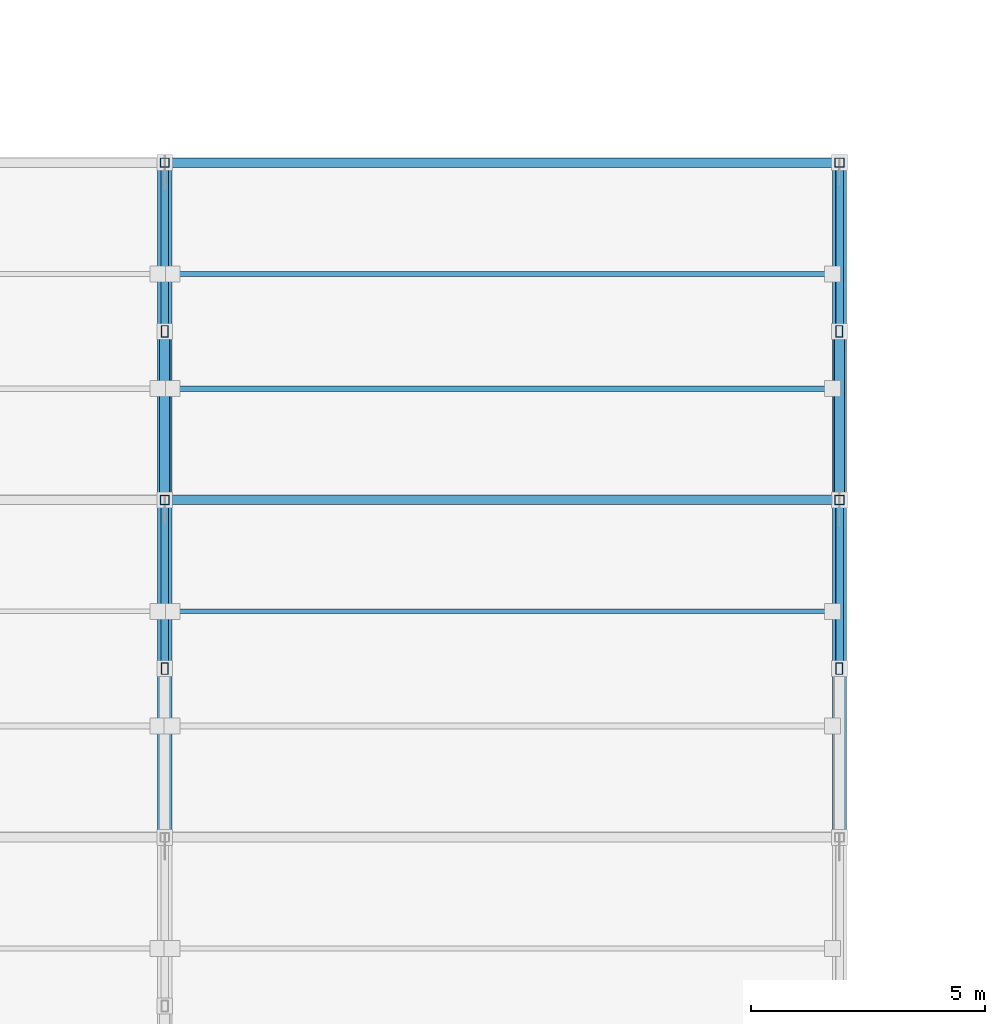
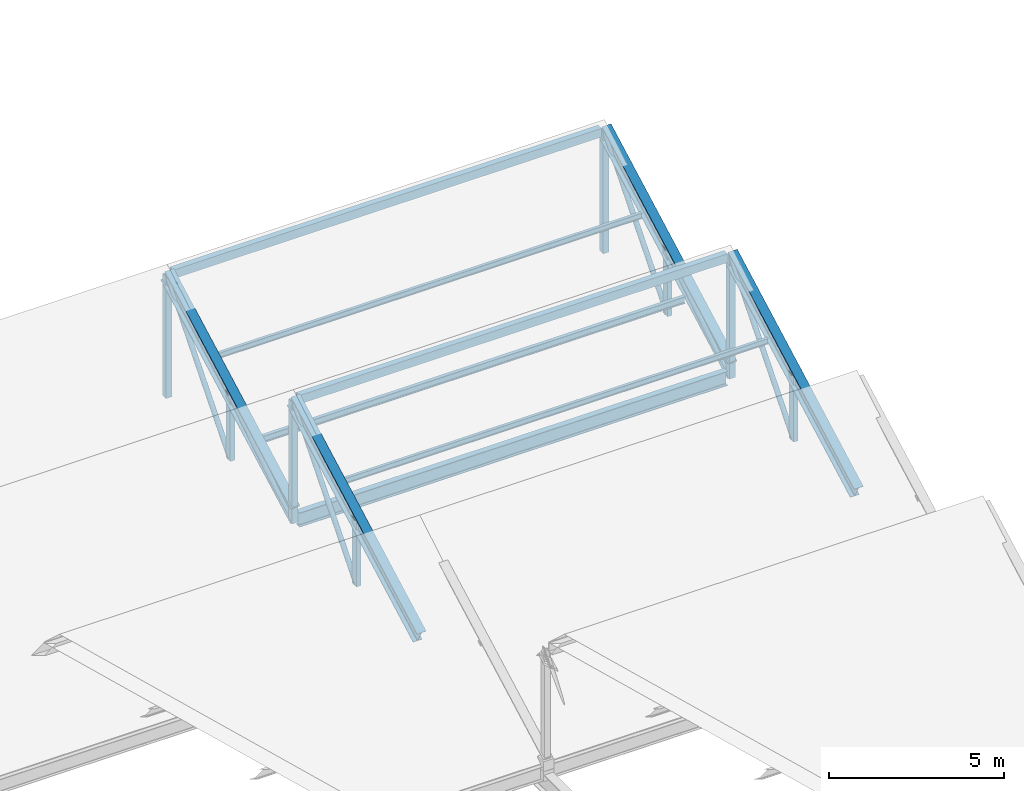
# One storey, part 20 of 51: 23 members, 1 beam.
"""IFC4 building model written with IfcOpenShell, lengths in metres."""

from ifc_helpers import new_model, si_unit, direction, frame, origin, origin_2d, place, context, subcontext, project, spatial, hollow_rectangle, hollow_circle, i_section, extrude, material, material_profile, profile_set, type_object, element, save


model = new_model("IFC4")

# Units and contexts
model_context = context("Model", 3, precision=1e-05, world=origin(), true_north=direction((0.0, 1.0)))
body_context = subcontext(model_context, "Body", "Model", "MODEL_VIEW")
ifc_project = project(units=[si_unit("LENGTHUNIT", "METRE"), si_unit("AREAUNIT", "SQUARE_METRE"), si_unit("VOLUMEUNIT", "CUBIC_METRE"), si_unit("PLANEANGLEUNIT", "RADIAN"), si_unit("MASSUNIT", "GRAM", prefix="KILO")], contexts=[model_context])

# Site, building, storey
site_placement = place(None, origin())
site = spatial("IfcSite", under=ifc_project, at=site_placement, CompositionType="ELEMENT")
building_placement = place(site_placement, origin())
building = spatial("IfcBuilding", under=site, at=building_placement, Name="Valkovuoma Quantum and Materials Research Institute", CompositionType="ELEMENT")
storey_placement = place(building_placement, frame((0.0, 0.0, 17.280029296875)))
storey = spatial("IfcBuildingStorey", under=building, at=storey_placement, Name="L04", CompositionType="ELEMENT", Elevation=17.280029296875)

# Beam
ifc_material_1 = material(Name="Steel S355J2", Category="steel")
ifc_material_profile_1 = material_profile(ifc_material_1, i_section(OverallWidth=0.199951171875, OverallDepth=0.5, WebThickness=0.01025390625, FlangeThickness=0.01611328125, FilletRadius=0.02099609375, at=origin_2d()), Name="Steel S355J2")
ifc_profile_set_1 = profile_set([ifc_material_profile_1], Name="Steel S355J2")
beam_type = type_object("IfcBeamType", Name="Beam-B-IPE500", PredefinedType="BEAM", material=ifc_profile_set_1)
beam_placement = place(storey_placement, frame((86.550048828125, 57.60009765625, -0.300048828125), z_axis=(1.0, 0.0, 0.0), x_axis=(0.0, 1.0, 0.0)))
element("IfcBeam", 1, at=beam_placement, inside=storey, type_object=beam_type, Name="L04 VOL2 valley beam 4.4", PredefinedType="BEAM", context=body_context, shape_type="SweptSolid", body=[
    extrude(i_section(OverallWidth=0.199951171875, OverallDepth=0.5, WebThickness=0.01025390625, FlangeThickness=0.01611328125, FilletRadius=0.02099609375, at=origin_2d()), origin(), (0.0, 0.0, 1.0), 14.099853515625),
])

# Members
ifc_material_2 = material(Name="Steel S355J2H", Category="steel")
ifc_material_profile_2 = material_profile(ifc_material_2, hollow_circle(Radius=0.084228515625, WallThickness=0.008056640625, at=origin_2d()), Name="Steel S355J2H")
ifc_profile_set_2 = profile_set([ifc_material_profile_2], Name="Steel S355J2H")
member_type_1 = type_object("IfcMemberType", Name="Mem-M-BRC168", PredefinedType="BRACE", material=ifc_profile_set_2)
for number, where, z_axis, x_axis, name in (
    (2, (86.39990234375, 54.0, -0.35009765625), (0.0, 0.647241890385, 0.762284681291), (-1.0, 0.0, 0.0), "L04 VOL2 sawtooth web brace 4.3B"),
    (3, (86.39990234375, 61.199951171875, -0.35009765625), (0.0, 0.647241890385, 0.762284681291), (-1.0, 0.0, 0.0), "L04 VOL2 sawtooth web brace 4.4B"),
    (4, (100.800048828125, 54.0, -0.35009765625), (0.0, 0.647241890385, 0.762284681291), (-1.0, 0.0, 0.0), "L04 VOL2 sawtooth web brace 5.3B"),
    (5, (100.800048828125, 61.199951171875, -0.35009765625), (0.0, 0.647241890385, 0.762284681291), (-1.0, 0.0, 0.0), "L04 VOL2 sawtooth web brace 5.4B"),
):
    element("IfcMember", number, at=place(storey_placement, frame(where, z_axis=z_axis, x_axis=x_axis)), inside=storey, type_object=member_type_1, Name=name, PredefinedType="BRACE", context=body_context, shape_type="SweptSolid", body=[
        extrude(hollow_circle(Radius=0.084228515625, WallThickness=0.008056640625, at=origin_2d()), origin(), (0.0, 0.0, 1.0), 5.562255859375),
    ])
ifc_material_3 = material(Name="Steel S355J2H", Category="steel")
ifc_material_profile_3 = material_profile(ifc_material_3, hollow_circle(Radius=0.109619140625, WallThickness=0.010009765625, at=origin_2d()), Name="Steel S355J2H")
ifc_profile_set_3 = profile_set([ifc_material_profile_3], Name="Steel S355J2H")
member_type_2 = type_object("IfcMemberType", Name="Mem-M-BRC219", PredefinedType="BRACE", material=ifc_profile_set_3)
for number, where, z_axis, x_axis, name in (
    (6, (86.39990234375, 57.60009765625, -0.35009765625), (0.0, 0.843199655679, 0.53760054005), (-1.0, 0.0, 0.0), "L04 VOL2 sawtooth web brace 4.4A"),
    (7, (100.800048828125, 57.60009765625, -0.35009765625), (0.0, 0.843199655679, 0.53760054005), (-1.0, 0.0, 0.0), "L04 VOL2 sawtooth web brace 5.4A"),
):
    element("IfcMember", number, at=place(storey_placement, frame(where, z_axis=z_axis, x_axis=x_axis)), inside=storey, type_object=member_type_2, Name=name, PredefinedType="BRACE", context=body_context, shape_type="SweptSolid", body=[
        extrude(hollow_circle(Radius=0.109619140625, WallThickness=0.010009765625, at=origin_2d()), origin(), (0.0, 0.0, 1.0), 4.269287109375),
    ])
ifc_material_4 = material(Name="Steel S355J2H", Category="steel")
ifc_material_profile_4 = material_profile(ifc_material_4, hollow_rectangle(XDim=0.199951171875, YDim=0.300048828125, WallThickness=0.012451171875, at=origin_2d()), Name="Steel S355J2H")
ifc_profile_set_4 = profile_set([ifc_material_profile_4], Name="Steel S355J2H")
member_type_3 = type_object("IfcMemberType", Name="Mem-M-CHD300", PredefinedType="CHORD", material=ifc_profile_set_4)
for number, where, z_axis, x_axis, name in (
    (8, (86.550048828125, 57.60009765625, 3.889892578125), (1.0, 0.0, 0.0), (0.0, 1.0, 0.0), "L04 VOL2 ridge chord 3.4"),
    (9, (86.550048828125, 64.800048828125, 3.889892578125), (1.0, 0.0, 0.0), (0.0, 1.0, 0.0), "L04 VOL2 ridge chord 4.4"),
):
    element("IfcMember", number, at=place(storey_placement, frame(where, z_axis=z_axis, x_axis=x_axis)), inside=storey, type_object=member_type_3, Name=name, PredefinedType="CHORD", context=body_context, shape_type="SweptSolid", body=[
        extrude(hollow_rectangle(XDim=0.199951171875, YDim=0.300048828125, WallThickness=0.012451171875, at=origin_2d()), origin(), (0.0, 0.0, 1.0), 14.099853515625),
    ])
ifc_material_5 = material(Name="Steel S355J2", Category="steel")
ifc_material_profile_5 = material_profile(ifc_material_5, i_section(OverallWidth=0.300048828125, OverallDepth=0.5, WebThickness=0.014404296875, FlangeThickness=0.028076171875, FilletRadius=0.027099609375, at=origin_2d()), Name="Steel S355J2")
ifc_profile_set_5 = profile_set([ifc_material_profile_5], Name="Steel S355J2")
member_type_4 = type_object("IfcMemberType", Name="Mem-M-CHD500", PredefinedType="CHORD", material=ifc_profile_set_5)
member_1_placement = place(storey_placement, frame((86.39990234375, 50.39990234375, 0.0), z_axis=(0.0, 0.879814082946, 0.4753179772), x_axis=(-1.0, 0.0, 0.0)))
element("IfcMember", 10, at=member_1_placement, inside=storey, type_object=member_type_4, Name="L04 VOL2 sawtooth top chord 4.3", PredefinedType="CHORD", context=body_context, shape_type="SweptSolid", body=[
    extrude(i_section(OverallWidth=0.300048828125, OverallDepth=0.5, WebThickness=0.014404296875, FlangeThickness=0.028076171875, FilletRadius=0.027099609375, at=origin_2d()), origin(), (0.0, 0.0, 1.0), 8.183837890625),
])
member_2_placement = place(storey_placement, frame((86.39990234375, 57.60009765625, 0.0), z_axis=(0.0, 0.879807342754, 0.475330453091), x_axis=(-1.0, 0.0, 0.0)))
element("IfcMember", 11, at=member_2_placement, inside=storey, type_object=member_type_4, Name="L04 VOL2 sawtooth top chord 4.4", PredefinedType="CHORD", context=body_context, shape_type="SweptSolid", body=[
    extrude(i_section(OverallWidth=0.300048828125, OverallDepth=0.5, WebThickness=0.014404296875, FlangeThickness=0.028076171875, FilletRadius=0.027099609375, at=origin_2d()), origin(), (0.0, 0.0, 1.0), 8.18359375),
])
member_3_placement = place(storey_placement, frame((100.800048828125, 50.39990234375, 0.0), z_axis=(0.0, 0.879814082946, 0.4753179772), x_axis=(-1.0, 0.0, 0.0)))
element("IfcMember", 12, at=member_3_placement, inside=storey, type_object=member_type_4, Name="L04 VOL2 sawtooth top chord 5.3", PredefinedType="CHORD", context=body_context, shape_type="SweptSolid", body=[
    extrude(i_section(OverallWidth=0.300048828125, OverallDepth=0.5, WebThickness=0.014404296875, FlangeThickness=0.028076171875, FilletRadius=0.027099609375, at=origin_2d()), origin(), (0.0, 0.0, 1.0), 8.183837890625),
])
member_4_placement = place(storey_placement, frame((100.800048828125, 57.60009765625, 0.0), z_axis=(0.0, 0.879807342754, 0.475330453091), x_axis=(-1.0, 0.0, 0.0)))
element("IfcMember", 13, at=member_4_placement, inside=storey, type_object=member_type_4, Name="L04 VOL2 sawtooth top chord 5.4", PredefinedType="CHORD", context=body_context, shape_type="SweptSolid", body=[
    extrude(i_section(OverallWidth=0.300048828125, OverallDepth=0.5, WebThickness=0.014404296875, FlangeThickness=0.028076171875, FilletRadius=0.027099609375, at=origin_2d()), origin(), (0.0, 0.0, 1.0), 8.18359375),
])
ifc_material_6 = material(Name="Steel S355J2", Category="steel")
ifc_material_profile_6 = material_profile(ifc_material_6, i_section(OverallWidth=0.10009765625, OverallDepth=0.199951171875, WebThickness=0.005615234375, FlangeThickness=0.008544921875, FilletRadius=0.011962890625, at=origin_2d()), Name="Steel S355J2")
ifc_profile_set_6 = profile_set([ifc_material_profile_6], Name="Steel S355J2")
member_type_5 = type_object("IfcMemberType", Name="Mem-M-PRL200", PredefinedType="PURLIN", material=ifc_profile_set_6)
for number, where, z_axis, x_axis, name in (
    (14, (86.550048828125, 55.22412109375, 2.405517578125), (1.0, 0.0, 0.0), (0.0, 1.0, 0.0), "L04 VOL2 roof purlin 3.4.2"),
    (15, (86.550048828125, 62.424072265625, 2.405517578125), (1.0, 0.0, 0.0), (0.0, 1.0, 0.0), "L04 VOL2 roof purlin 4.4.2"),
):
    element("IfcMember", number, at=place(storey_placement, frame(where, z_axis=z_axis, x_axis=x_axis)), inside=storey, type_object=member_type_5, Name=name, PredefinedType="PURLIN", context=body_context, shape_type="SweptSolid", body=[
        extrude(i_section(OverallWidth=0.10009765625, OverallDepth=0.199951171875, WebThickness=0.005615234375, FlangeThickness=0.008544921875, FilletRadius=0.011962890625, at=origin_2d()), origin(), (0.0, 0.0, 1.0), 14.099853515625),
    ])
ifc_material_7 = material(Name="Steel S355J2", Category="steel")
ifc_material_profile_7 = material_profile(ifc_material_7, i_section(OverallWidth=0.1201171875, OverallDepth=0.239990234375, WebThickness=0.006103515625, FlangeThickness=0.009765625, FilletRadius=0.014892578125, at=origin_2d()), Name="Steel S355J2")
ifc_profile_set_7 = profile_set([ifc_material_profile_7], Name="Steel S355J2")
member_type_6 = type_object("IfcMemberType", Name="Mem-M-PRL240", PredefinedType="PURLIN", material=ifc_profile_set_7)
member_5_placement = place(storey_placement, frame((86.550048828125, 59.97607421875, 0.9638671875), z_axis=(1.0, 0.0, 0.0), x_axis=(0.0, 1.0, 0.0)))
element("IfcMember", 16, at=member_5_placement, inside=storey, type_object=member_type_6, Name="L04 VOL2 roof purlin 4.4.1", PredefinedType="PURLIN", context=body_context, shape_type="SweptSolid", body=[
    extrude(i_section(OverallWidth=0.1201171875, OverallDepth=0.239990234375, WebThickness=0.006103515625, FlangeThickness=0.009765625, FilletRadius=0.014892578125, at=origin_2d()), origin(), (0.0, 0.0, 1.0), 14.099853515625),
])
ifc_material_8 = material(Name="Steel S355J2H", Category="steel")
ifc_material_profile_8 = material_profile(ifc_material_8, hollow_rectangle(XDim=0.199951171875, YDim=0.199951171875, WallThickness=0.010009765625, at=origin_2d()), Name="Steel S355J2H")
ifc_profile_set_8 = profile_set([ifc_material_profile_8], Name="Steel S355J2H")
member_type_7 = type_object("IfcMemberType", Name="Mem-M-STR200", PredefinedType="STRUT", material=ifc_profile_set_8)
for number, where, z_axis, x_axis, name in (
    (17, (86.39990234375, 57.60009765625, -0.35009765625), (0.0, 0.0, 1.0), (1.0, 0.0, 0.0), "L04 VOL2 sawtooth north post 4.3"),
    (18, (86.39990234375, 64.800048828125, -0.35009765625), (0.0, 0.0, 1.0), (1.0, 0.0, 0.0), "L04 VOL2 sawtooth north post 4.4"),
    (19, (100.800048828125, 57.60009765625, -0.35009765625), (0.0, 0.0, 1.0), (1.0, 0.0, 0.0), "L04 VOL2 sawtooth north post 5.3"),
    (20, (100.800048828125, 64.800048828125, -0.35009765625), (0.0, 0.0, 1.0), (1.0, 0.0, 0.0), "L04 VOL2 sawtooth north post 5.4"),
):
    element("IfcMember", number, at=place(storey_placement, frame(where, z_axis=z_axis, x_axis=x_axis)), inside=storey, type_object=member_type_7, Name=name, PredefinedType="STRUT", context=body_context, shape_type="SweptSolid", body=[
        extrude(hollow_rectangle(XDim=0.199951171875, YDim=0.199951171875, WallThickness=0.010009765625, at=origin_2d()), origin(), (0.0, 0.0, 1.0), 4.239990234375),
    ])
ifc_material_9 = material(Name="Steel S355J2H", Category="steel")
ifc_material_profile_9 = material_profile(ifc_material_9, hollow_rectangle(XDim=0.14990234375, YDim=0.25, WallThickness=0.010009765625, at=origin_2d()), Name="Steel S355J2H")
ifc_profile_set_9 = profile_set([ifc_material_profile_9], Name="Steel S355J2H")
member_type_8 = type_object("IfcMemberType", Name="Mem-M-STR250R", PredefinedType="STRUT", material=ifc_profile_set_9)
for number, where, z_axis, x_axis, name in (
    (21, (86.39990234375, 54.0, -0.35009765625), (0.0, 0.0, 1.0), (1.0, 0.0, 0.0), "L04 VOL2 sawtooth mid strut 4.3"),
    (22, (86.39990234375, 61.199951171875, -0.35009765625), (0.0, 0.0, 1.0), (1.0, 0.0, 0.0), "L04 VOL2 sawtooth mid strut 4.4"),
    (23, (100.800048828125, 54.0, -0.35009765625), (0.0, 0.0, 1.0), (1.0, 0.0, 0.0), "L04 VOL2 sawtooth mid strut 5.3"),
    (24, (100.800048828125, 61.199951171875, -0.35009765625), (0.0, 0.0, 1.0), (1.0, 0.0, 0.0), "L04 VOL2 sawtooth mid strut 5.4"),
):
    element("IfcMember", number, at=place(storey_placement, frame(where, z_axis=z_axis, x_axis=x_axis)), inside=storey, type_object=member_type_8, Name=name, PredefinedType="STRUT", context=body_context, shape_type="SweptSolid", body=[
        extrude(hollow_rectangle(XDim=0.14990234375, YDim=0.25, WallThickness=0.010009765625, at=origin_2d()), origin(), (0.0, 0.0, 1.0), 2.295166015625),
    ])

save(model, "model.ifc")
